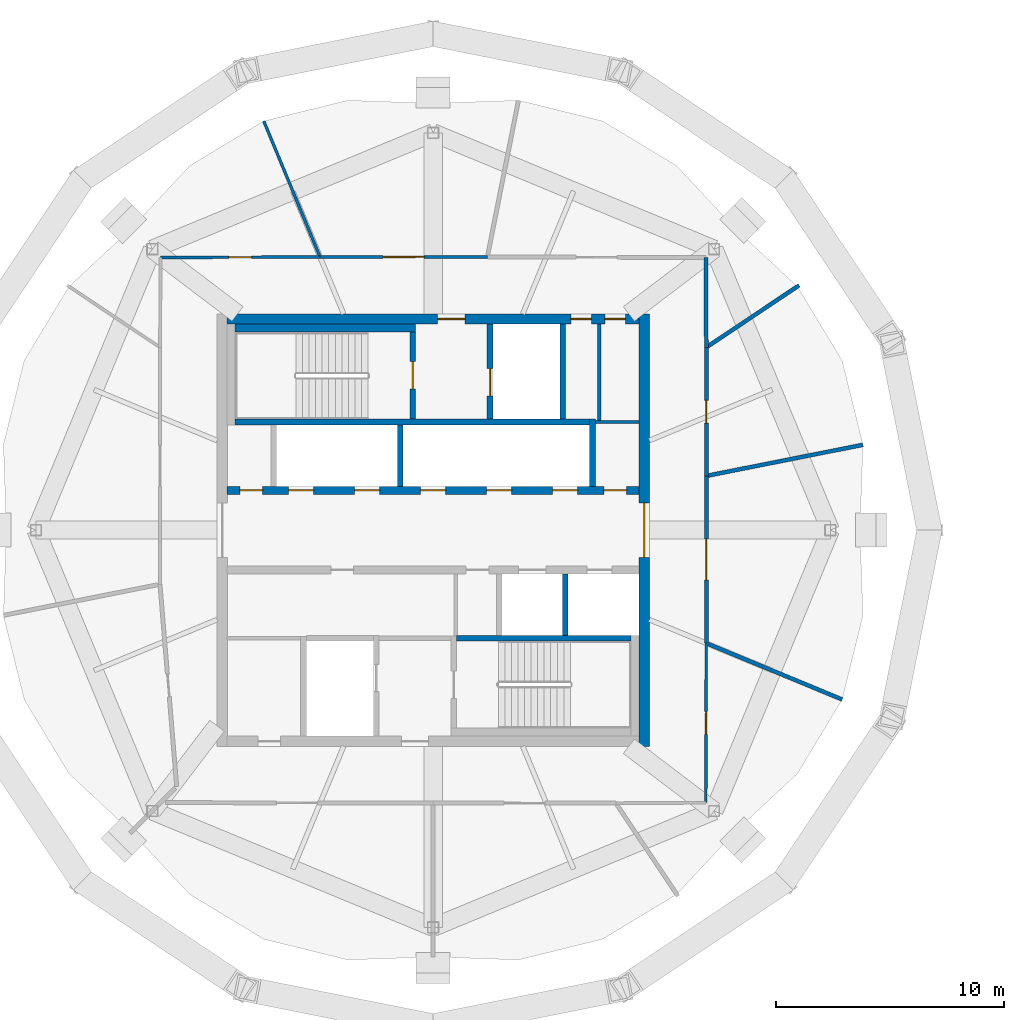
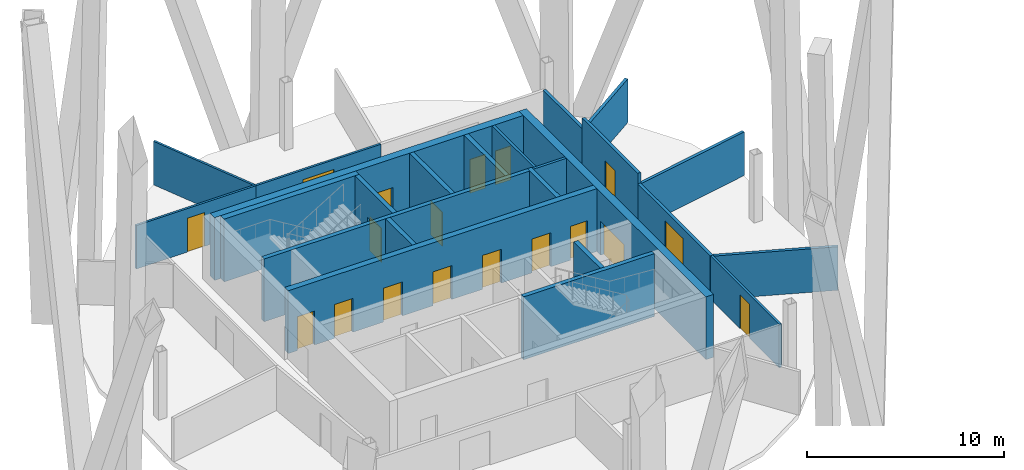
# One storey, part 5 of 11: 24 walls, 18 doors, 18 openings.
"""IFC4 building model written with IfcOpenShell, lengths in metres."""

from ifc_helpers import new_model, si_unit, direction, frame, frame_2d, origin, place, context, subcontext, project, spatial, rectangle, extrude, material, layer, layer_set, type_object, element, fill, save


model = new_model("IFC4")

# Units and contexts
model_context = context("Model", 3, precision=1e-05, world=origin(), true_north=direction((0.0, 1.0)))
body_context = subcontext(model_context, "Body", "Model", "MODEL_VIEW")
ifc_project = project(units=[si_unit("LENGTHUNIT", "METRE"), si_unit("AREAUNIT", "SQUARE_METRE"), si_unit("VOLUMEUNIT", "CUBIC_METRE"), si_unit("PLANEANGLEUNIT", "RADIAN"), si_unit("MASSUNIT", "GRAM", prefix="KILO")], contexts=[model_context])

# Site, building, storey
site_placement = place(None, origin())
site = spatial("IfcSite", under=ifc_project, at=site_placement, CompositionType="ELEMENT")
building_placement = place(site_placement, origin())
building = spatial("IfcBuilding", under=site, at=building_placement, Name="Ogive Gate Towers", CompositionType="ELEMENT")
storey_placement = place(building_placement, frame((0.0, 0.0, 273.0)))
storey = spatial("IfcBuildingStorey", under=building, at=storey_placement, Name="L64", CompositionType="ELEMENT", Elevation=273.0)

# Walls
ifc_material_1 = material(Name="Gypsum board acoustic partition")
ifc_layer_1 = layer(ifc_material_1, 0.175048828125)
ifc_layer_set_1 = layer_set([ifc_layer_1], Name="Acoustic partition 175")
wall_type_1 = type_object("IfcWallType", Name="Acoustic partition 175", PredefinedType="PARTITIONING", material=ifc_layer_set_1)
wall_1_placement = place(storey_placement, frame((-17.10888671875, 3.748291015625, 0.0), z_axis=(0.0, 0.0, 1.0), x_axis=(-0.980874890603, -0.194639279139, 0.0)))
element("IfcWall", 1, at=wall_1_placement, inside=storey, type_object=wall_type_1, Name="Partition T1-L64-001", PredefinedType="PARTITIONING", context=body_context, shape_type="SweptSolid", body=[
    extrude(rectangle(XDim=6.931396484375, YDim=0.175048828125, at=frame_2d((3.4658203125, 0.0))), origin(), (0.0, 0.0, 1.0), 2.699951171875),
])
wall_2_placement = place(storey_placement, frame((-19.914306640625, 10.759521484375, 0.0), z_axis=(0.0, 0.0, 1.0), x_axis=(-0.831185109007, -0.555995786463, 0.0)))
element("IfcWall", 2, at=wall_2_placement, inside=storey, type_object=wall_type_1, Name="Partition T1-L64-002", PredefinedType="PARTITIONING", context=body_context, shape_type="SweptSolid", body=[
    extrude(rectangle(XDim=4.824462890625, YDim=0.175048828125, at=frame_2d((2.412109375, 0.0))), origin(), (0.0, 0.0, 1.0), 2.699951171875),
])
wall_3_placement = place(storey_placement, frame((-18.021240234375, -7.447021484375, 0.0), z_axis=(0.0, 0.0, 1.0), x_axis=(-0.923877413209, 0.382688548773, 0.0)))
element("IfcWall", 3, at=wall_3_placement, inside=storey, type_object=wall_type_1, Name="Partition T1-L64-010", PredefinedType="PARTITIONING", context=body_context, shape_type="SweptSolid", body=[
    extrude(rectangle(XDim=6.381591796875, YDim=0.175048828125, at=frame_2d((3.19091796875, 0.0))), origin(), (0.0, 0.0, 1.0), 2.699951171875),
])

# Wall, opening, door
wall_4_placement = place(storey_placement, frame((-23.997802734375, -4.971435546875, 0.0), z_axis=(0.0, 0.0, 1.0), x_axis=(0.000564408941, 0.999999840721, 0.0)))
wall_4 = element("IfcWall", 4, at=wall_4_placement, inside=storey, type_object=wall_type_1, Name="Partition T1-L64-020", PredefinedType="PARTITIONING", context=body_context, shape_type="SweptSolid", body=[
    extrude(rectangle(XDim=7.353515625, YDim=0.175048828125, at=frame_2d((3.6767578125, 0.0))), origin(), (0.0, 0.0, 1.0), 2.699951171875),
])
opening_1_placement = place(wall_4_placement, frame((2.777099609375, 0.0, 0.0)))
opening_1 = element("IfcOpeningElement", 5, at=opening_1_placement, cuts=wall_4, Name="Opening T1-L64-D08", PredefinedType="OPENING", context=body_context, shape_type="SweptSolid", body=[
    extrude(rectangle(XDim=1.800048828125, YDim=2.10009765625, at=frame_2d((0.89990234375, 1.050048828125))), frame((0.0, 0.09765625, 0.0), z_axis=(0.0, -1.0, 0.0), x_axis=(1.0, 0.0, 0.0)), (0.0, 0.0, 1.0), 0.195068359375),
])
ifc_material_2 = material(Name="Timber door", Category="wood")
door_type_1 = type_object("IfcDoorType", Name="Door pair 1800", OperationType="NOTDEFINED", PredefinedType="DOOR", material=ifc_material_2)
door_1_placement = place(opening_1_placement, origin())
door_1 = element("IfcDoor", 6, at=door_1_placement, inside=storey, type_object=door_type_1, Name="Door T1-L64-D08", OperationType="DOUBLE_DOOR_DOUBLE_SWING", OverallHeight=2.10009765625, OverallWidth=1.800048828125, PredefinedType="DOOR", context=body_context, shape_type="SweptSolid", body=[
    extrude(rectangle(XDim=1.800048828125, YDim=2.10009765625, at=frame_2d((0.89990234375, 1.050048828125))), frame((0.0, 0.02490234375, 0.0), z_axis=(0.0, -1.0, 0.0), x_axis=(1.0, 0.0, 0.0)), (0.0, 0.0, 1.0), 0.050048828125),
])
fill(opening_1, door_1)

wall_5_placement = place(storey_placement, frame((-23.99365234375, 2.382080078125, 0.0), z_axis=(0.0, 0.0, 1.0), x_axis=(-0.000605326766, 0.99999981679, 0.0)))
wall_5 = element("IfcWall", 7, at=wall_5_placement, inside=storey, type_object=wall_type_1, Name="Partition T1-L64-021", PredefinedType="PARTITIONING", context=body_context, shape_type="SweptSolid", body=[
    extrude(rectangle(XDim=5.646484375, YDim=0.175048828125, at=frame_2d((2.8232421875, 0.0))), origin(), (0.0, 0.0, 1.0), 3.35009765625),
])
opening_2_placement = place(wall_5_placement, frame((2.322998046875, 0.0, 0.0)))
opening_2 = element("IfcOpeningElement", 8, at=opening_2_placement, cuts=wall_5, Name="Opening T1-L64-D09", PredefinedType="OPENING", context=body_context, shape_type="SweptSolid", body=[
    extrude(rectangle(XDim=1.0, YDim=2.10009765625, at=frame_2d((0.5, 1.050048828125))), frame((0.0, 0.09765625, 0.0), z_axis=(0.0, -1.0, 0.0), x_axis=(1.0, 0.0, 0.0)), (0.0, 0.0, 1.0), 0.195068359375),
])
door_type_2 = type_object("IfcDoorType", Name="Door 1000", OperationType="NOTDEFINED", PredefinedType="DOOR", material=ifc_material_2)
door_2_placement = place(opening_2_placement, origin())
door_2 = element("IfcDoor", 9, at=door_2_placement, inside=storey, type_object=door_type_2, Name="Door T1-L64-D09", OperationType="SINGLE_SWING_RIGHT", OverallHeight=2.10009765625, OverallWidth=1.0, PredefinedType="DOOR", context=body_context, shape_type="SweptSolid", body=[
    extrude(rectangle(XDim=1.0, YDim=2.10009765625, at=frame_2d((0.5, 1.050048828125))), frame((0.0, 0.02490234375, 0.0), z_axis=(0.0, -1.0, 0.0), x_axis=(1.0, 0.0, 0.0)), (0.0, 0.0, 1.0), 0.050048828125),
])
fill(opening_2, door_2)

# Wall
wall_6_placement = place(storey_placement, frame((-23.9970703125, 8.028564453125, 0.0), z_axis=(0.0, 0.0, 1.0), x_axis=(-0.005807748822, 0.999983134885, 0.0)))
element("IfcWall", 10, at=wall_6_placement, inside=storey, type_object=wall_type_1, Name="Partition T1-L64-023", PredefinedType="PARTITIONING", context=body_context, shape_type="SweptSolid", body=[
    extrude(rectangle(XDim=3.951416015625, YDim=0.175048828125, at=frame_2d((1.9755859375, 0.0))), origin(), (0.0, 0.0, 1.0), 2.699951171875),
])

# Wall, openings, doors
ifc_material_3 = material(Name="Concrete C60/75", Category="concrete")
ifc_layer_2 = layer(ifc_material_3, 0.449951171875)
ifc_layer_set_2 = layer_set([ifc_layer_2], Name="Core wall 450 mm")
wall_type_2 = type_object("IfcWallType", Name="Core wall 450 mm", PredefinedType="SHEAR", material=ifc_layer_set_2)
wall_7_placement = place(storey_placement, frame((-45.050048828125, 9.27490234375, 0.0), z_axis=(0.0, 0.0, 1.0), x_axis=(1.0, 0.0, 0.0)))
wall_7 = element("IfcWall", 11, at=wall_7_placement, inside=storey, type_object=wall_type_2, Name="T1 L64 Core wall 450 mm", PredefinedType="SHEAR", context=body_context, shape_type="SweptSolid", body=[
    extrude(rectangle(XDim=18.10009765625, YDim=0.449951171875, at=frame_2d((9.050048828125, 0.0))), origin(), (0.0, 0.0, 1.0), 3.89990234375),
])
opening_3_placement = place(wall_7_placement, frame((9.25, 0.0, 0.0)))
opening_3 = element("IfcOpeningElement", 12, at=opening_3_placement, cuts=wall_7, Name="Opening KD-T1-L64-18", PredefinedType="OPENING", context=body_context, shape_type="SweptSolid", body=[
    extrude(rectangle(XDim=1.199951171875, YDim=2.10009765625, at=frame_2d((0.60009765625, 1.050048828125))), frame((0.0, 0.23486328125, 0.0), z_axis=(0.0, -1.0, 0.0), x_axis=(1.0, 0.0, 0.0)), (0.0, 0.0, 1.0), 0.469970703125),
])
opening_4_placement = place(wall_7_placement, frame((15.10009765625, 0.0, 0.0)))
opening_4 = element("IfcOpeningElement", 13, at=opening_4_placement, cuts=wall_7, Name="Opening KD-T1-L64-20", PredefinedType="OPENING", context=body_context, shape_type="SweptSolid", body=[
    extrude(rectangle(XDim=0.89990234375, YDim=2.10009765625, at=frame_2d((0.449951171875, 1.050048828125))), frame((0.0, 0.23486328125, 0.0), z_axis=(0.0, -1.0, 0.0), x_axis=(1.0, 0.0, 0.0)), (0.0, 0.0, 1.0), 0.469970703125),
])
opening_5_placement = place(wall_7_placement, frame((16.60009765625, 0.0, 0.0)))
opening_5 = element("IfcOpeningElement", 14, at=opening_5_placement, cuts=wall_7, Name="Opening KD-T1-L64-21", PredefinedType="OPENING", context=body_context, shape_type="SweptSolid", body=[
    extrude(rectangle(XDim=0.89990234375, YDim=2.10009765625, at=frame_2d((0.449951171875, 1.050048828125))), frame((0.0, 0.23486328125, 0.0), z_axis=(0.0, -1.0, 0.0), x_axis=(1.0, 0.0, 0.0)), (0.0, 0.0, 1.0), 0.469970703125),
])
door_type_3 = type_object("IfcDoorType", Name="Core WC door 900 x 2100", OperationType="NOTDEFINED", PredefinedType="DOOR", material=ifc_material_2)
door_3_placement = place(opening_4_placement, origin())
door_3 = element("IfcDoor", 15, at=door_3_placement, inside=storey, type_object=door_type_3, Name="T1 L64 Core door", OperationType="SINGLE_SWING_LEFT", OverallHeight=2.10009765625, OverallWidth=0.89990234375, PredefinedType="DOOR", context=body_context, shape_type="SweptSolid", body=[
    extrude(rectangle(XDim=0.89990234375, YDim=2.10009765625, at=frame_2d((0.449951171875, 1.050048828125))), frame((0.0, 0.02490234375, 0.0), z_axis=(0.0, -1.0, 0.0), x_axis=(1.0, 0.0, 0.0)), (0.0, 0.0, 1.0), 0.050048828125),
])
fill(opening_4, door_3)
door_4_placement = place(opening_5_placement, origin())
door_4 = element("IfcDoor", 16, at=door_4_placement, inside=storey, type_object=door_type_3, Name="T1 L64 Core door", OperationType="SINGLE_SWING_RIGHT", OverallHeight=2.10009765625, OverallWidth=0.89990234375, PredefinedType="DOOR", context=body_context, shape_type="SweptSolid", body=[
    extrude(rectangle(XDim=0.89990234375, YDim=2.10009765625, at=frame_2d((0.449951171875, 1.050048828125))), frame((0.0, 0.02490234375, 0.0), z_axis=(0.0, -1.0, 0.0), x_axis=(1.0, 0.0, 0.0)), (0.0, 0.0, 1.0), 0.050048828125),
])
fill(opening_5, door_4)
ifc_material_4 = material(Name="Steel fire door", Category="steel")
door_type_4 = type_object("IfcDoorType", Name="Core door FD60S 1200 x 2100", OperationType="NOTDEFINED", PredefinedType="DOOR", material=ifc_material_4)
door_5_placement = place(opening_3_placement, origin())
door_5 = element("IfcDoor", 17, at=door_5_placement, inside=storey, type_object=door_type_4, Name="T1 L64 Fire-fighting lobby door", OperationType="SINGLE_SWING_LEFT", OverallHeight=2.10009765625, OverallWidth=1.199951171875, PredefinedType="DOOR", context=body_context, shape_type="SweptSolid", body=[
    extrude(rectangle(XDim=1.199951171875, YDim=2.10009765625, at=frame_2d((0.60009765625, 1.050048828125))), frame((0.0, 0.02490234375, 0.0), z_axis=(0.0, -1.0, 0.0), x_axis=(1.0, 0.0, 0.0)), (0.0, 0.0, 1.0), 0.050048828125),
])
fill(opening_3, door_5)

# Wall, opening, door
wall_8_placement = place(storey_placement, frame((-26.72509765625, -9.5, 0.0), z_axis=(0.0, 0.0, 1.0), x_axis=(0.0, 1.0, 0.0)))
wall_8 = element("IfcWall", 18, at=wall_8_placement, inside=storey, type_object=wall_type_2, Name="T1 L64 Core wall 450 mm", PredefinedType="SHEAR", context=body_context, shape_type="SweptSolid", body=[
    extrude(rectangle(XDim=19.0, YDim=0.449951171875, at=frame_2d((9.5, 0.0))), origin(), (0.0, 0.0, 1.0), 3.89990234375),
])
opening_6_placement = place(wall_8_placement, frame((8.300048828125, 0.0, 0.0)))
opening_6 = element("IfcOpeningElement", 19, at=opening_6_placement, cuts=wall_8, Name="Opening KD-T1-L64-02", PredefinedType="OPENING", context=body_context, shape_type="SweptSolid", body=[
    extrude(rectangle(XDim=2.39990234375, YDim=2.10009765625, at=frame_2d((1.199951171875, 1.050048828125))), frame((0.0, 0.23486328125, 0.0), z_axis=(0.0, -1.0, 0.0), x_axis=(1.0, 0.0, 0.0)), (0.0, 0.0, 1.0), 0.469970703125),
])
door_type_5 = type_object("IfcDoorType", Name="Core double door FD60S 2400 x 2100", OperationType="DOUBLE_DOOR_SINGLE_SWING", PredefinedType="DOOR", material=ifc_material_4)
door_6_placement = place(opening_6_placement, origin())
door_6 = element("IfcDoor", 20, at=door_6_placement, inside=storey, type_object=door_type_5, Name="T1 L64 Core door double", OperationType="DOUBLE_DOOR_SINGLE_SWING", OverallHeight=2.10009765625, OverallWidth=2.39990234375, PredefinedType="DOOR", context=body_context, shape_type="SweptSolid", body=[
    extrude(rectangle(XDim=2.39990234375, YDim=2.10009765625, at=frame_2d((1.199951171875, 1.050048828125))), frame((0.0, 0.02490234375, 0.0), z_axis=(0.0, -1.0, 0.0), x_axis=(1.0, 0.0, 0.0)), (0.0, 0.0, 1.0), 0.050048828125),
])
fill(opening_6, door_6)

# Wall
ifc_material_5 = material(Name="Gypsum board partition")
ifc_layer_3 = layer(ifc_material_5, 0.125)
ifc_layer_set_3 = layer_set([ifc_layer_3], Name="Partition 125")
wall_type_3 = type_object("IfcWallType", Name="Partition 125", PredefinedType="PARTITIONING", material=ifc_layer_set_3)
wall_9_placement = place(storey_placement, frame((-43.447021484375, 17.978759765625, 0.0), z_axis=(0.0, 0.0, 1.0), x_axis=(0.382690608286, -0.923876560115, 0.0)))
element("IfcWall", 21, at=wall_9_placement, inside=storey, type_object=wall_type_3, Name="Partition T1-L64-004", PredefinedType="PARTITIONING", context=body_context, shape_type="SweptSolid", body=[
    extrude(rectangle(XDim=6.406494140625, YDim=0.125, at=frame_2d((3.203125, 0.0))), origin(), (0.0, 0.0, 1.0), 2.699951171875),
])

# Wall, opening, door
wall_10_placement = place(storey_placement, frame((-33.617919921875, 12.00634765625, 0.0), z_axis=(0.0, 0.0, 1.0), x_axis=(-0.999999840721, -0.000564408941, 0.0)))
wall_10 = element("IfcWall", 22, at=wall_10_placement, inside=storey, type_object=wall_type_3, Name="Partition T1-L64-011", PredefinedType="PARTITIONING", context=body_context, shape_type="SweptSolid", body=[
    extrude(rectangle(XDim=7.353515625, YDim=0.125, at=frame_2d((3.6767578125, 0.0))), origin(), (0.0, 0.0, 1.0), 2.699951171875),
])
opening_7_placement = place(wall_10_placement, frame((2.777099609375, 0.0, 0.0)))
opening_7 = element("IfcOpeningElement", 23, at=opening_7_placement, cuts=wall_10, Name="Opening T1-L64-D01", PredefinedType="OPENING", context=body_context, shape_type="SweptSolid", body=[
    extrude(rectangle(XDim=1.800048828125, YDim=2.10009765625, at=frame_2d((0.89990234375, 1.050048828125))), frame((0.0, 0.072509765625, 0.0), z_axis=(0.0, -1.0, 0.0), x_axis=(1.0, 0.0, 0.0)), (0.0, 0.0, 1.0), 0.14501953125),
])
door_7_placement = place(opening_7_placement, origin())
door_7 = element("IfcDoor", 24, at=door_7_placement, inside=storey, type_object=door_type_1, Name="Door T1-L64-D01", OperationType="DOUBLE_DOOR_DOUBLE_SWING", OverallHeight=2.10009765625, OverallWidth=1.800048828125, PredefinedType="DOOR", context=body_context, shape_type="SweptSolid", body=[
    extrude(rectangle(XDim=1.800048828125, YDim=2.10009765625, at=frame_2d((0.89990234375, 1.050048828125))), frame((0.0, 0.02490234375, 0.0), z_axis=(0.0, -1.0, 0.0), x_axis=(1.0, 0.0, 0.0)), (0.0, 0.0, 1.0), 0.050048828125),
])
fill(opening_7, door_7)

wall_11_placement = place(storey_placement, frame((-40.971435546875, 12.002197265625, 0.0), z_axis=(0.0, 0.0, 1.0), x_axis=(-0.999994975719, -0.00316994262, 0.0)))
wall_11 = element("IfcWall", 25, at=wall_11_placement, inside=storey, type_object=wall_type_3, Name="Partition T1-L64-012", PredefinedType="PARTITIONING", context=body_context, shape_type="SweptSolid", body=[
    extrude(rectangle(XDim=7.008544921875, YDim=0.125, at=frame_2d((3.50439453125, 0.0))), origin(), (0.0, 0.0, 1.0), 2.699951171875),
])
opening_8_placement = place(wall_11_placement, frame((3.00390625, 0.0, 0.0)))
opening_8 = element("IfcOpeningElement", 26, at=opening_8_placement, cuts=wall_11, Name="Opening T1-L64-D02", PredefinedType="OPENING", context=body_context, shape_type="SweptSolid", body=[
    extrude(rectangle(XDim=1.0, YDim=2.10009765625, at=frame_2d((0.5, 1.050048828125))), frame((0.0, 0.072509765625, 0.0), z_axis=(0.0, -1.0, 0.0), x_axis=(1.0, 0.0, 0.0)), (0.0, 0.0, 1.0), 0.14501953125),
])
door_8_placement = place(opening_8_placement, origin())
door_8 = element("IfcDoor", 27, at=door_8_placement, inside=storey, type_object=door_type_2, Name="Door T1-L64-D02", OperationType="SINGLE_SWING_RIGHT", OverallHeight=2.10009765625, OverallWidth=1.0, PredefinedType="DOOR", context=body_context, shape_type="SweptSolid", body=[
    extrude(rectangle(XDim=1.0, YDim=2.10009765625, at=frame_2d((0.5, 1.050048828125))), frame((0.0, 0.02490234375, 0.0), z_axis=(0.0, -1.0, 0.0), x_axis=(1.0, 0.0, 0.0)), (0.0, 0.0, 1.0), 0.050048828125),
])
fill(opening_8, door_8)

wall_12_placement = place(storey_placement, frame((-24.02001953125, -11.97998046875, 0.0), z_axis=(0.0, 0.0, 1.0), x_axis=(0.00316994262, 0.999994975719, 0.0)))
wall_12 = element("IfcWall", 28, at=wall_12_placement, inside=storey, type_object=wall_type_3, Name="Partition T1-L64-018", PredefinedType="PARTITIONING", context=body_context, shape_type="SweptSolid", body=[
    extrude(rectangle(XDim=7.008544921875, YDim=0.125, at=frame_2d((3.50439453125, 0.0))), origin(), (0.0, 0.0, 1.0), 2.699951171875),
])
opening_9_placement = place(wall_12_placement, frame((3.00390625, 0.0, 0.0)))
opening_9 = element("IfcOpeningElement", 29, at=opening_9_placement, cuts=wall_12, Name="Opening T1-L64-D07", PredefinedType="OPENING", context=body_context, shape_type="SweptSolid", body=[
    extrude(rectangle(XDim=1.0, YDim=2.10009765625, at=frame_2d((0.5, 1.050048828125))), frame((0.0, 0.072509765625, 0.0), z_axis=(0.0, -1.0, 0.0), x_axis=(1.0, 0.0, 0.0)), (0.0, 0.0, 1.0), 0.14501953125),
])
door_9_placement = place(opening_9_placement, origin())
door_9 = element("IfcDoor", 30, at=door_9_placement, inside=storey, type_object=door_type_2, Name="Door T1-L64-D07", OperationType="SINGLE_SWING_RIGHT", OverallHeight=2.10009765625, OverallWidth=1.0, PredefinedType="DOOR", context=body_context, shape_type="SweptSolid", body=[
    extrude(rectangle(XDim=1.0, YDim=2.10009765625, at=frame_2d((0.5, 1.050048828125))), frame((0.0, 0.02490234375, 0.0), z_axis=(0.0, -1.0, 0.0), x_axis=(1.0, 0.0, 0.0)), (0.0, 0.0, 1.0), 0.050048828125),
])
fill(opening_9, door_9)

# Walls
ifc_layer_4 = layer(ifc_material_5, 0.14990234375)
ifc_layer_set_4 = layer_set([ifc_layer_4], Name="Room partition 150 mm")
wall_type_4 = type_object("IfcWallType", Name="Room partition 150 mm", PredefinedType="PARTITIONING", material=ifc_layer_set_4)
wall_13_placement = place(storey_placement, frame((-28.875, 4.75, 0.0), z_axis=(0.0, 0.0, 1.0), x_axis=(1.0, 0.0, 0.0)))
element("IfcWall", 31, at=wall_13_placement, inside=storey, type_object=wall_type_4, Name="T1 L64 Room partition 150 mm", PredefinedType="PARTITIONING", context=body_context, shape_type="SweptSolid", body=[
    extrude(rectangle(XDim=1.925048828125, YDim=0.14990234375, at=frame_2d((0.96240234375, 0.0))), origin(), (0.0, 0.0, 1.0), 3.89990234375),
])
wall_14_placement = place(storey_placement, frame((-28.699951171875, 4.824951171875, 0.0), z_axis=(0.0, 0.0, 1.0), x_axis=(0.0, 1.0, 0.0)))
element("IfcWall", 32, at=wall_14_placement, inside=storey, type_object=wall_type_4, Name="T1 L64 Room partition 150 mm", PredefinedType="PARTITIONING", context=body_context, shape_type="SweptSolid", body=[
    extrude(rectangle(XDim=4.22509765625, YDim=0.14990234375, at=frame_2d((2.112548828125, 0.0))), origin(), (0.0, 0.0, 1.0), 3.89990234375),
])
ifc_layer_5 = layer(ifc_material_3, 0.25)
ifc_layer_set_5 = layer_set([ifc_layer_5], Name="Shaft wall 250 mm")
wall_type_5 = type_object("IfcWallType", Name="Shaft wall 250 mm", PredefinedType="SHEAR", material=ifc_layer_set_5)
wall_15_placement = place(storey_placement, frame((-34.97509765625, -4.75, 0.0), z_axis=(0.0, 0.0, 1.0), x_axis=(1.0, 0.0, 0.0)))
element("IfcWall", 33, at=wall_15_placement, inside=storey, type_object=wall_type_5, Name="T1 L64 Shaft wall 250 mm", PredefinedType="SHEAR", context=body_context, shape_type="SweptSolid", body=[
    extrude(rectangle(XDim=7.675048828125, YDim=0.25, at=frame_2d((3.83740234375, 0.0))), origin(), (0.0, 0.0, 1.0), 3.89990234375),
])
wall_16_placement = place(storey_placement, frame((-44.699951171875, 4.75, 0.0), z_axis=(0.0, 0.0, 1.0), x_axis=(1.0, 0.0, 0.0)))
element("IfcWall", 34, at=wall_16_placement, inside=storey, type_object=wall_type_5, Name="T1 L64 Shaft wall 250 mm", PredefinedType="SHEAR", context=body_context, shape_type="SweptSolid", body=[
    extrude(rectangle(XDim=15.574951171875, YDim=0.25, at=frame_2d((7.78759765625, 0.0))), origin(), (0.0, 0.0, 1.0), 3.89990234375),
])
wall_17_placement = place(storey_placement, frame((-37.449951171875, 1.925048828125, 0.0), z_axis=(0.0, 0.0, 1.0), x_axis=(0.0, 1.0, 0.0)))
element("IfcWall", 35, at=wall_17_placement, inside=storey, type_object=wall_type_5, Name="T1 L64 Shaft wall 250 mm", PredefinedType="SHEAR", context=body_context, shape_type="SweptSolid", body=[
    extrude(rectangle(XDim=2.699951171875, YDim=0.25, at=frame_2d((1.35009765625, 0.0))), origin(), (0.0, 0.0, 1.0), 3.89990234375),
])

# Wall, opening, door
wall_18_placement = place(storey_placement, frame((-36.89990234375, 4.875, 0.0), z_axis=(0.0, 0.0, 1.0), x_axis=(0.0, 1.0, 0.0)))
wall_18 = element("IfcWall", 36, at=wall_18_placement, inside=storey, type_object=wall_type_5, Name="T1 L64 Shaft wall 250 mm", PredefinedType="SHEAR", context=body_context, shape_type="SweptSolid", body=[
    extrude(rectangle(XDim=3.824951171875, YDim=0.25, at=frame_2d((1.91259765625, 0.0))), origin(), (0.0, 0.0, 1.0), 3.89990234375),
])
opening_10_placement = place(wall_18_placement, frame((1.324951171875, 0.0, 0.0)))
opening_10 = element("IfcOpeningElement", 37, at=opening_10_placement, cuts=wall_18, Name="Opening KD-T1-L64-16", PredefinedType="OPENING", context=body_context, shape_type="SweptSolid", body=[
    extrude(rectangle(XDim=1.199951171875, YDim=2.10009765625, at=frame_2d((0.60009765625, 1.050048828125))), frame((0.0, 0.135009765625, 0.0), z_axis=(0.0, -1.0, 0.0), x_axis=(1.0, 0.0, 0.0)), (0.0, 0.0, 1.0), 0.27001953125),
])
door_10_placement = place(opening_10_placement, origin())
door_10 = element("IfcDoor", 38, at=door_10_placement, inside=storey, type_object=door_type_4, Name="T1 L64 Stair door", OperationType="SINGLE_SWING_LEFT", OverallHeight=2.10009765625, OverallWidth=1.199951171875, PredefinedType="DOOR", context=body_context, shape_type="SweptSolid", body=[
    extrude(rectangle(XDim=1.199951171875, YDim=2.10009765625, at=frame_2d((0.60009765625, 1.050048828125))), frame((0.0, 0.02490234375, 0.0), z_axis=(0.0, -1.0, 0.0), x_axis=(1.0, 0.0, 0.0)), (0.0, 0.0, 1.0), 0.050048828125),
])
fill(opening_10, door_10)

wall_19_placement = place(storey_placement, frame((-33.5, 4.875, 0.0), z_axis=(0.0, 0.0, 1.0), x_axis=(0.0, 1.0, 0.0)))
wall_19 = element("IfcWall", 39, at=wall_19_placement, inside=storey, type_object=wall_type_5, Name="T1 L64 Shaft wall 250 mm", PredefinedType="SHEAR", context=body_context, shape_type="SweptSolid", body=[
    extrude(rectangle(XDim=4.175048828125, YDim=0.25, at=frame_2d((2.08740234375, 0.0))), origin(), (0.0, 0.0, 1.0), 3.89990234375),
])
opening_11_placement = place(wall_19_placement, frame((1.02490234375, 0.0, 0.0)))
opening_11 = element("IfcOpeningElement", 40, at=opening_11_placement, cuts=wall_19, Name="Opening LD-T1-L64-12", PredefinedType="OPENING", context=body_context, shape_type="SweptSolid", body=[
    extrude(rectangle(XDim=1.199951171875, YDim=2.10009765625, at=frame_2d((0.60009765625, 1.050048828125))), frame((0.0, 0.135009765625, 0.0), z_axis=(0.0, -1.0, 0.0), x_axis=(1.0, 0.0, 0.0)), (0.0, 0.0, 1.0), 0.27001953125),
])
ifc_material_6 = material(Name="Stainless steel landing door", Category="steel")
door_type_6 = type_object("IfcDoorType", Name="Landing door 1200 x 2100", OperationType="SLIDING_TO_LEFT", PredefinedType="DOOR", material=ifc_material_6)
door_11_placement = place(opening_11_placement, origin())
door_11 = element("IfcDoor", 41, at=door_11_placement, inside=storey, type_object=door_type_6, Name="T1 L64 Lift landing door FF1", OperationType="SLIDING_TO_LEFT", OverallHeight=2.10009765625, OverallWidth=1.199951171875, PredefinedType="DOOR", context=body_context, shape_type="SweptSolid", body=[
    extrude(rectangle(XDim=1.199951171875, YDim=2.10009765625, at=frame_2d((0.60009765625, 1.050048828125))), frame((0.0, 0.02490234375, 0.0), z_axis=(0.0, -1.0, 0.0), x_axis=(1.0, 0.0, 0.0)), (0.0, 0.0, 1.0), 0.050048828125),
])
fill(opening_11, door_11)

# Walls
wall_20_placement = place(storey_placement, frame((-30.300048828125, 4.875, 0.0), z_axis=(0.0, 0.0, 1.0), x_axis=(0.0, 1.0, 0.0)))
element("IfcWall", 42, at=wall_20_placement, inside=storey, type_object=wall_type_5, Name="T1 L64 Shaft wall 250 mm", PredefinedType="SHEAR", context=body_context, shape_type="SweptSolid", body=[
    extrude(rectangle(XDim=4.175048828125, YDim=0.25, at=frame_2d((2.08740234375, 0.0))), origin(), (0.0, 0.0, 1.0), 3.89990234375),
])
wall_21_placement = place(storey_placement, frame((-30.199951171875, -4.625, 0.0), z_axis=(0.0, 0.0, 1.0), x_axis=(0.0, 1.0, 0.0)))
element("IfcWall", 43, at=wall_21_placement, inside=storey, type_object=wall_type_5, Name="T1 L64 Shaft wall 250 mm", PredefinedType="SHEAR", context=body_context, shape_type="SweptSolid", body=[
    extrude(rectangle(XDim=2.699951171875, YDim=0.25, at=frame_2d((1.35009765625, 0.0))), origin(), (0.0, 0.0, 1.0), 3.89990234375),
])
wall_22_placement = place(storey_placement, frame((-29.0, 1.925048828125, 0.0), z_axis=(0.0, 0.0, 1.0), x_axis=(0.0, 1.0, 0.0)))
element("IfcWall", 44, at=wall_22_placement, inside=storey, type_object=wall_type_5, Name="T1 L64 Shaft wall 250 mm", PredefinedType="SHEAR", context=body_context, shape_type="SweptSolid", body=[
    extrude(rectangle(XDim=2.949951171875, YDim=0.25, at=frame_2d((1.47509765625, 0.0))), origin(), (0.0, 0.0, 1.0), 3.89990234375),
])

# Wall, openings, doors
ifc_layer_6 = layer(ifc_material_3, 0.35009765625)
ifc_layer_set_6 = layer_set([ifc_layer_6], Name="Spine wall 350 mm")
wall_type_6 = type_object("IfcWallType", Name="Spine wall 350 mm", PredefinedType="SHEAR", material=ifc_layer_set_6)
wall_23_placement = place(storey_placement, frame((-45.050048828125, 1.75, 0.0), z_axis=(0.0, 0.0, 1.0), x_axis=(1.0, 0.0, 0.0)))
wall_23 = element("IfcWall", 45, at=wall_23_placement, inside=storey, type_object=wall_type_6, Name="T1 L64 Spine wall 350 mm", PredefinedType="SHEAR", context=body_context, shape_type="SweptSolid", body=[
    extrude(rectangle(XDim=18.10009765625, YDim=0.35009765625, at=frame_2d((9.050048828125, 0.0))), origin(), (0.0, 0.0, 1.0), 3.89990234375),
])
opening_12_placement = place(wall_23_placement, frame((0.550048828125, 0.0, 0.0)))
opening_12 = element("IfcOpeningElement", 46, at=opening_12_placement, cuts=wall_23, Name="Opening KD-T1-L64-03", PredefinedType="OPENING", context=body_context, shape_type="SweptSolid", body=[
    extrude(rectangle(XDim=1.0, YDim=2.10009765625, at=frame_2d((0.5, 1.050048828125))), frame((0.0, 0.18505859375, 0.0), z_axis=(0.0, -1.0, 0.0), x_axis=(1.0, 0.0, 0.0)), (0.0, 0.0, 1.0), 0.3701171875),
])
opening_13_placement = place(wall_23_placement, frame((2.699951171875, 0.0, 0.0)))
opening_13 = element("IfcOpeningElement", 47, at=opening_13_placement, cuts=wall_23, Name="Opening LD-T1-L64-04", PredefinedType="OPENING", context=body_context, shape_type="SweptSolid", body=[
    extrude(rectangle(XDim=1.10009765625, YDim=2.10009765625, at=frame_2d((0.550048828125, 1.050048828125))), frame((0.0, 0.18505859375, 0.0), z_axis=(0.0, -1.0, 0.0), x_axis=(1.0, 0.0, 0.0)), (0.0, 0.0, 1.0), 0.3701171875),
])
opening_14_placement = place(wall_23_placement, frame((5.60009765625, 0.0, 0.0)))
opening_14 = element("IfcOpeningElement", 48, at=opening_14_placement, cuts=wall_23, Name="Opening LD-T1-L64-05", PredefinedType="OPENING", context=body_context, shape_type="SweptSolid", body=[
    extrude(rectangle(XDim=1.10009765625, YDim=2.10009765625, at=frame_2d((0.550048828125, 1.050048828125))), frame((0.0, 0.18505859375, 0.0), z_axis=(0.0, -1.0, 0.0), x_axis=(1.0, 0.0, 0.0)), (0.0, 0.0, 1.0), 0.3701171875),
])
opening_15_placement = place(wall_23_placement, frame((8.5, 0.0, 0.0)))
opening_15 = element("IfcOpeningElement", 49, at=opening_15_placement, cuts=wall_23, Name="Opening LD-T1-L64-06", PredefinedType="OPENING", context=body_context, shape_type="SweptSolid", body=[
    extrude(rectangle(XDim=1.10009765625, YDim=2.10009765625, at=frame_2d((0.550048828125, 1.050048828125))), frame((0.0, 0.18505859375, 0.0), z_axis=(0.0, -1.0, 0.0), x_axis=(1.0, 0.0, 0.0)), (0.0, 0.0, 1.0), 0.3701171875),
])
opening_16_placement = place(wall_23_placement, frame((11.39990234375, 0.0, 0.0)))
opening_16 = element("IfcOpeningElement", 50, at=opening_16_placement, cuts=wall_23, Name="Opening LD-T1-L64-07", PredefinedType="OPENING", context=body_context, shape_type="SweptSolid", body=[
    extrude(rectangle(XDim=1.10009765625, YDim=2.10009765625, at=frame_2d((0.550048828125, 1.050048828125))), frame((0.0, 0.18505859375, 0.0), z_axis=(0.0, -1.0, 0.0), x_axis=(1.0, 0.0, 0.0)), (0.0, 0.0, 1.0), 0.3701171875),
])
opening_17_placement = place(wall_23_placement, frame((14.300048828125, 0.0, 0.0)))
opening_17 = element("IfcOpeningElement", 51, at=opening_17_placement, cuts=wall_23, Name="Opening LD-T1-L64-08", PredefinedType="OPENING", context=body_context, shape_type="SweptSolid", body=[
    extrude(rectangle(XDim=1.10009765625, YDim=2.10009765625, at=frame_2d((0.550048828125, 1.050048828125))), frame((0.0, 0.18505859375, 0.0), z_axis=(0.0, -1.0, 0.0), x_axis=(1.0, 0.0, 0.0)), (0.0, 0.0, 1.0), 0.3701171875),
])
opening_18_placement = place(wall_23_placement, frame((16.550048828125, 0.0, 0.0)))
opening_18 = element("IfcOpeningElement", 52, at=opening_18_placement, cuts=wall_23, Name="Opening KD-T1-L64-09", PredefinedType="OPENING", context=body_context, shape_type="SweptSolid", body=[
    extrude(rectangle(XDim=1.0, YDim=2.10009765625, at=frame_2d((0.5, 1.050048828125))), frame((0.0, 0.18505859375, 0.0), z_axis=(0.0, -1.0, 0.0), x_axis=(1.0, 0.0, 0.0)), (0.0, 0.0, 1.0), 0.3701171875),
])
door_type_7 = type_object("IfcDoorType", Name="Core door FD60S 1000 x 2100", OperationType="NOTDEFINED", PredefinedType="DOOR", material=ifc_material_4)
door_12_placement = place(opening_12_placement, origin())
door_12 = element("IfcDoor", 53, at=door_12_placement, inside=storey, type_object=door_type_7, Name="T1 L64 Core door", OperationType="SINGLE_SWING_RIGHT", OverallHeight=2.10009765625, OverallWidth=1.0, PredefinedType="DOOR", context=body_context, shape_type="SweptSolid", body=[
    extrude(rectangle(XDim=1.0, YDim=2.10009765625, at=frame_2d((0.5, 1.050048828125))), frame((0.0, 0.02490234375, 0.0), z_axis=(0.0, -1.0, 0.0), x_axis=(1.0, 0.0, 0.0)), (0.0, 0.0, 1.0), 0.050048828125),
])
fill(opening_12, door_12)
door_13_placement = place(opening_18_placement, origin())
door_13 = element("IfcDoor", 54, at=door_13_placement, inside=storey, type_object=door_type_7, Name="T1 L64 Core door", OperationType="SINGLE_SWING_RIGHT", OverallHeight=2.10009765625, OverallWidth=1.0, PredefinedType="DOOR", context=body_context, shape_type="SweptSolid", body=[
    extrude(rectangle(XDim=1.0, YDim=2.10009765625, at=frame_2d((0.5, 1.050048828125))), frame((0.0, 0.02490234375, 0.0), z_axis=(0.0, -1.0, 0.0), x_axis=(1.0, 0.0, 0.0)), (0.0, 0.0, 1.0), 0.050048828125),
])
fill(opening_18, door_13)
door_type_8 = type_object("IfcDoorType", Name="Landing door 1100 x 2100", OperationType="SLIDING_TO_LEFT", PredefinedType="DOOR", material=ifc_material_6)
door_14_placement = place(opening_13_placement, origin())
door_14 = element("IfcDoor", 55, at=door_14_placement, inside=storey, type_object=door_type_8, Name="T1 L64 Lift landing door B1", OperationType="SLIDING_TO_LEFT", OverallHeight=2.10009765625, OverallWidth=1.10009765625, PredefinedType="DOOR", context=body_context, shape_type="SweptSolid", body=[
    extrude(rectangle(XDim=1.10009765625, YDim=2.10009765625, at=frame_2d((0.550048828125, 1.050048828125))), frame((0.0, 0.02490234375, 0.0), z_axis=(0.0, -1.0, 0.0), x_axis=(1.0, 0.0, 0.0)), (0.0, 0.0, 1.0), 0.050048828125),
])
fill(opening_13, door_14)
door_15_placement = place(opening_14_placement, origin())
door_15 = element("IfcDoor", 56, at=door_15_placement, inside=storey, type_object=door_type_8, Name="T1 L64 Lift landing door B2", OperationType="SLIDING_TO_LEFT", OverallHeight=2.10009765625, OverallWidth=1.10009765625, PredefinedType="DOOR", context=body_context, shape_type="SweptSolid", body=[
    extrude(rectangle(XDim=1.10009765625, YDim=2.10009765625, at=frame_2d((0.550048828125, 1.050048828125))), frame((0.0, 0.02490234375, 0.0), z_axis=(0.0, -1.0, 0.0), x_axis=(1.0, 0.0, 0.0)), (0.0, 0.0, 1.0), 0.050048828125),
])
fill(opening_14, door_15)
door_16_placement = place(opening_15_placement, origin())
door_16 = element("IfcDoor", 57, at=door_16_placement, inside=storey, type_object=door_type_8, Name="T1 L64 Lift landing door B3", OperationType="SLIDING_TO_LEFT", OverallHeight=2.10009765625, OverallWidth=1.10009765625, PredefinedType="DOOR", context=body_context, shape_type="SweptSolid", body=[
    extrude(rectangle(XDim=1.10009765625, YDim=2.10009765625, at=frame_2d((0.550048828125, 1.050048828125))), frame((0.0, 0.02490234375, 0.0), z_axis=(0.0, -1.0, 0.0), x_axis=(1.0, 0.0, 0.0)), (0.0, 0.0, 1.0), 0.050048828125),
])
fill(opening_15, door_16)
door_17_placement = place(opening_16_placement, origin())
door_17 = element("IfcDoor", 58, at=door_17_placement, inside=storey, type_object=door_type_8, Name="T1 L64 Lift landing door B4", OperationType="SLIDING_TO_LEFT", OverallHeight=2.10009765625, OverallWidth=1.10009765625, PredefinedType="DOOR", context=body_context, shape_type="SweptSolid", body=[
    extrude(rectangle(XDim=1.10009765625, YDim=2.10009765625, at=frame_2d((0.550048828125, 1.050048828125))), frame((0.0, 0.02490234375, 0.0), z_axis=(0.0, -1.0, 0.0), x_axis=(1.0, 0.0, 0.0)), (0.0, 0.0, 1.0), 0.050048828125),
])
fill(opening_16, door_17)
door_18_placement = place(opening_17_placement, origin())
door_18 = element("IfcDoor", 59, at=door_18_placement, inside=storey, type_object=door_type_8, Name="T1 L64 Lift landing door B5", OperationType="SLIDING_TO_LEFT", OverallHeight=2.10009765625, OverallWidth=1.10009765625, PredefinedType="DOOR", context=body_context, shape_type="SweptSolid", body=[
    extrude(rectangle(XDim=1.10009765625, YDim=2.10009765625, at=frame_2d((0.550048828125, 1.050048828125))), frame((0.0, 0.02490234375, 0.0), z_axis=(0.0, -1.0, 0.0), x_axis=(1.0, 0.0, 0.0)), (0.0, 0.0, 1.0), 0.050048828125),
])
fill(opening_17, door_18)

# Wall
ifc_layer_7 = layer(ifc_material_3, 0.35009765625)
ifc_layer_set_7 = layer_set([ifc_layer_7], Name="Stair wall 350 mm")
wall_type_7 = type_object("IfcWallType", Name="Stair wall 350 mm", PredefinedType="SHEAR", material=ifc_layer_set_7)
wall_24_placement = place(storey_placement, frame((-44.699951171875, 8.875, 0.0), z_axis=(0.0, 0.0, 1.0), x_axis=(1.0, 0.0, 0.0)))
element("IfcWall", 60, at=wall_24_placement, inside=storey, type_object=wall_type_7, Name="T1 L64 Stair wall 350 mm", PredefinedType="SHEAR", context=body_context, shape_type="SweptSolid", body=[
    extrude(rectangle(XDim=7.925048828125, YDim=0.35009765625, at=frame_2d((3.96240234375, 0.0))), origin(), (0.0, 0.0, 1.0), 3.89990234375),
])

save(model, "model.ifc")
